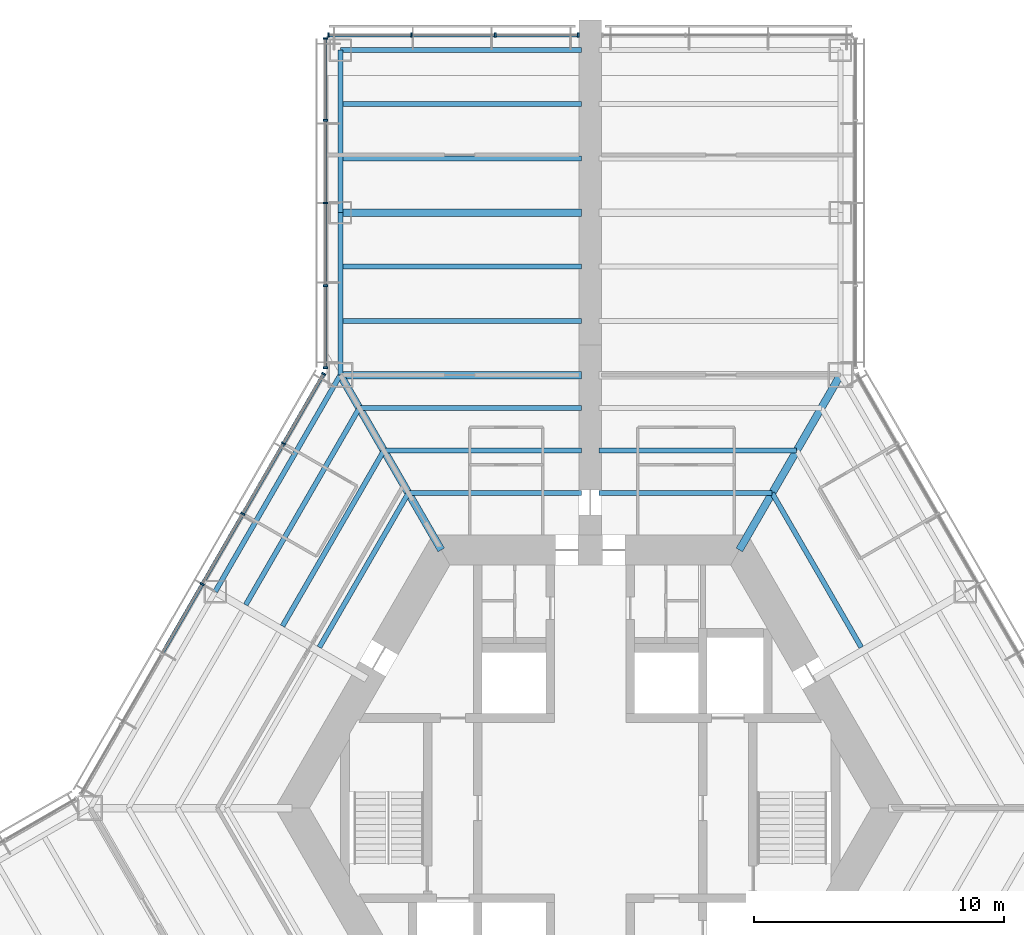
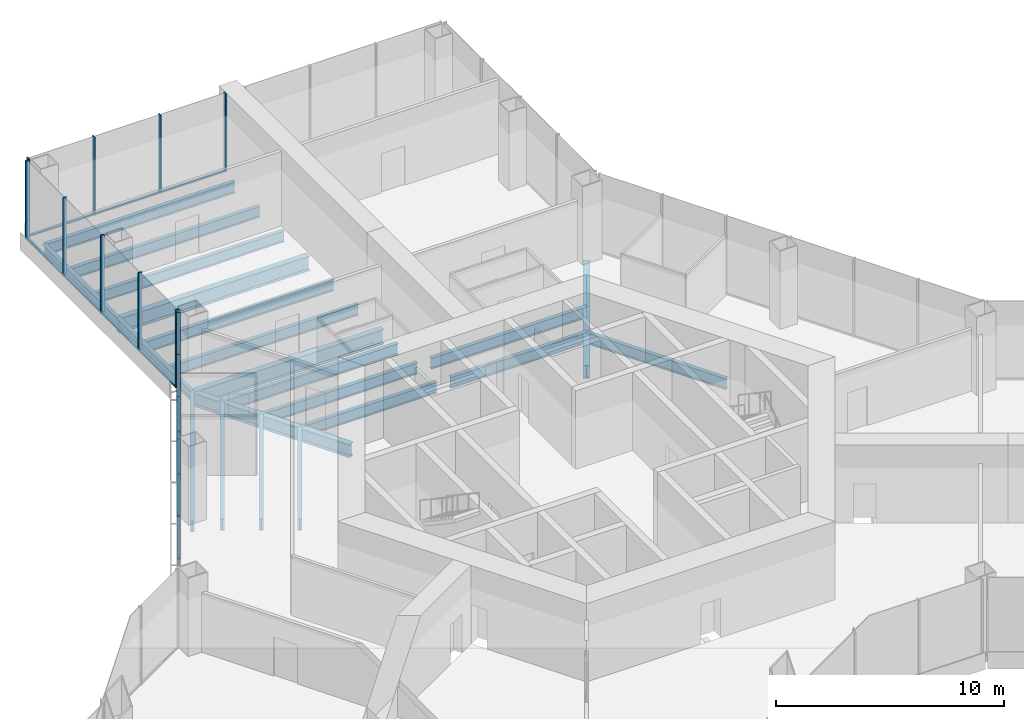
# One storey, part 6 of 16: 24 members, 21 beams, 3 elements without a shape of their own.
"""IFC4 building model written with IfcOpenShell, lengths in metres."""

import ifcopenshell
import ifcopenshell.guid

model = None  # the IFC model being written
_history = None  # IfcOwnerHistory: only IFC2X3 demands one
_inside = {}  # id of a spatial element -> (the spatial element, [elements in it])
_under = {}  # id of a project, library or spatial element -> (it, [spatial elements below it])
_declared = {}  # id of a project -> (the project, [libraries it declares])
_typed = {}  # id of a type object -> (the type object, [elements of that type])
_made_of = {}  # id of a material, layer set ... -> (it, [elements and type objects made of it])


def new_model(schema):
    """Start an empty IFC model of exactly this schema.

    Asked for "IFC4X3", IfcOpenShell would pick the latest addendum, in which some entities
    have other attributes; the version numbers below select the first issue.
    IFC2X3 requires an IfcOwnerHistory on every rooted entity: one is made here for all.
    """
    global model, _history
    if schema == "IFC4X3":
        model = ifcopenshell.file(schema_version=(4, 3, 0, 0))
    else:
        model = ifcopenshell.file(schema=schema)
    _inside.clear()
    _under.clear()
    _declared.clear()
    _typed.clear()
    _made_of.clear()
    _history = None
    if model.schema == "IFC2X3":
        org = make("IfcOrganization", Name="unknown")
        user = make(
            "IfcPersonAndOrganization",
            ThePerson=make("IfcPerson", FamilyName="unknown"),
            TheOrganization=org,
        )
        app = make(
            "IfcApplication",
            ApplicationDeveloper=org,
            Version="unknown",
            ApplicationFullName="unknown",
            ApplicationIdentifier="unknown",
        )
        _history = make(
            "IfcOwnerHistory",
            OwningUser=user,
            OwningApplication=app,
            ChangeAction="ADDED",
            CreationDate=0,
        )
    return model


def make(cls, **values):
    """One entity of the class cls with the attributes given. An attribute that is None is left unset."""
    return model.create_entity(
        cls, **{name: value for name, value in values.items() if value is not None}
    )


def rooted(cls, **values):
    """An entity with a GlobalId (a new one), such as an element, a storey or a relation."""
    return make(cls, GlobalId=ifcopenshell.guid.new(), OwnerHistory=_history, **values)


def si_unit(unit_type, name, prefix=None):
    """IfcSIUnit, for example si_unit("LENGTHUNIT", "METRE", prefix="MILLI")."""
    return make("IfcSIUnit", UnitType=unit_type, Prefix=prefix, Name=name)


def assignment(units):
    """IfcUnitAssignment: the units of a project."""
    return None if units is None else make("IfcUnitAssignment", Units=units)


def point(xyz):
    """IfcCartesianPoint."""
    return None if xyz is None else make("IfcCartesianPoint", Coordinates=xyz)


def direction(xyz):
    """IfcDirection."""
    return None if xyz is None else make("IfcDirection", DirectionRatios=xyz)


def frame(location, z_axis=None, x_axis=None):
    """IfcAxis2Placement3D, a coordinate frame: its origin and axes. An axis left out is left unset."""
    return make(
        "IfcAxis2Placement3D",
        Location=point(location),
        Axis=direction(z_axis),
        RefDirection=direction(x_axis),
    )


def frame_2d(location, x_axis=None):
    """IfcAxis2Placement2D, a coordinate frame in the plane: its origin and x axis."""
    return make(
        "IfcAxis2Placement2D", Location=point(location), RefDirection=direction(x_axis)
    )


def origin():
    """The frame at (0, 0, 0) with its axes left unset."""
    return frame((0.0, 0.0, 0.0))


def origin_2d():
    """The frame at (0, 0) in the plane with its x axis left unset."""
    return frame_2d((0.0, 0.0))


def place(relative_to, where):
    """IfcLocalPlacement: puts the frame where relative to a parent placement (None: the world)."""
    return make(
        "IfcLocalPlacement", PlacementRelTo=relative_to, RelativePlacement=where
    )


def context(
    kind, dimensions, precision=None, world=None, true_north=None, identifier=None
):
    """IfcGeometricRepresentationContext, for example the 3D "Model" context."""
    return make(
        "IfcGeometricRepresentationContext",
        ContextIdentifier=identifier,
        ContextType=kind,
        CoordinateSpaceDimension=dimensions,
        Precision=precision,
        WorldCoordinateSystem=world,
        TrueNorth=true_north,
    )


def subcontext(parent, identifier, kind, view, scale=None):
    """IfcGeometricRepresentationSubContext, for example "Body" below "Model"."""
    return make(
        "IfcGeometricRepresentationSubContext",
        ContextIdentifier=identifier,
        ContextType=kind,
        ParentContext=parent,
        TargetScale=scale,
        TargetView=view,
    )


def project(units=None, contexts=None):
    """IfcProject with its units and contexts."""
    return rooted(
        "IfcProject",
        Name="project",
        RepresentationContexts=contexts,
        UnitsInContext=assignment(units),
    )


def spatial(cls, under=None, at=None, **own):
    """A site, building, storey or space (cls), placed at a placement, below another one or the project."""
    s = rooted(cls, ObjectPlacement=at, **own)
    if under is not None:
        _under.setdefault(under.id(), (under, []))[1].append(s)
    return s


def profile(cls, at=None, kind="AREA", **sizes):
    """A parametric profile (cls). Its sizes go by their IFC names, for example OverallWidth=200.0."""
    return make(cls, ProfileType=kind, Position=at, **sizes)


def rectangle(**sizes):
    """IfcRectangleProfileDef."""
    return profile("IfcRectangleProfileDef", **sizes)


def i_section(**sizes):
    """IfcIShapeProfileDef."""
    return profile("IfcIShapeProfileDef", **sizes)


def extrude(swept, where, along, depth):
    """IfcExtrudedAreaSolid: the profile swept, set in the frame where, extruded along a direction by depth."""
    return make(
        "IfcExtrudedAreaSolid",
        SweptArea=swept,
        Position=where,
        ExtrudedDirection=direction(along),
        Depth=depth,
    )


def shape(context_of_items, identifier, shape_type, items):
    """IfcShapeRepresentation: the items that make up one representation, for example the "Body"."""
    return make(
        "IfcShapeRepresentation",
        ContextOfItems=context_of_items,
        RepresentationIdentifier=identifier,
        RepresentationType=shape_type,
        Items=items,
    )


def material(Name=None, Category=None):
    """IfcMaterial."""
    return make("IfcMaterial", Name=Name, Category=Category)


def material_profile(
    of_material, cross_section, Name=None, Category=None, Priority=None
):
    """IfcMaterialProfile: a cross section and its material."""
    return make(
        "IfcMaterialProfile",
        Name=Name,
        Material=of_material,
        Profile=cross_section,
        Priority=Priority,
        Category=Category,
    )


def profile_set(profiles, Name=None, composite=None):
    """IfcMaterialProfileSet."""
    return make(
        "IfcMaterialProfileSet",
        Name=Name,
        MaterialProfiles=profiles,
        CompositeProfile=composite,
    )


def made_of(thing, what):
    """Note that an element or type object is made of a material, layer set ...; save() writes the relation."""
    if what is not None:
        _made_of.setdefault(what.id(), (what, []))[1].append(thing)
    return thing


def type_object(cls, material=None, **own):
    """A type object (cls), such as IfcWallType, which elements share."""
    return made_of(rooted(cls, **own), material)


def element(
    cls,
    number,
    at=None,
    inside=None,
    cuts=None,
    type_object=None,
    material=None,
    context=None,
    identifier="Body",
    shape_type=None,
    held_by="IfcProductDefinitionShape",
    body=None,
    shapes=None,
    **own,
):
    """One element of the class cls, such as IfcWall. Its Tag is "e" and its number.

    at: its placement. inside: the storey or other place that contains it. cuts: it is an
    opening in that element (IfcRelVoidsElement). A single representation is given by context,
    identifier, shape_type and body (its items); several are given by shapes. held_by: the class
    of the entity that holds the representations. save() writes the other relations.
    """
    e = rooted(cls, Tag="e%d" % number, ObjectPlacement=at, **own)
    if body is not None:
        shapes = [shape(context, identifier, shape_type, body)]
    if shapes is not None:
        e.Representation = make(held_by, Representations=shapes)
    if inside is not None:
        _inside.setdefault(inside.id(), (inside, []))[1].append(e)
    if cuts is not None:
        rooted(
            "IfcRelVoidsElement", RelatingBuildingElement=cuts, RelatedOpeningElement=e
        )
    if type_object is not None:
        _typed.setdefault(type_object.id(), (type_object, []))[1].append(e)
    return made_of(e, material)


def aggregate(whole, parts):
    """IfcRelAggregates: a whole, such as a stair, and the parts it consists of."""
    return rooted("IfcRelAggregates", RelatingObject=whole, RelatedObjects=parts)


def save(model, path):
    """Write the relations noted so far, then the file.

    IfcRelAggregates (storeys below a building ...), IfcRelContainedInSpatialStructure (elements
    in a storey), IfcRelDefinesByType, IfcRelAssociatesMaterial and IfcRelDeclares: one each for
    every whole, place, type object, material and project.
    """
    for whole, parts in _under.values():
        aggregate(whole, parts)
    for where, things in _inside.values():
        rooted(
            "IfcRelContainedInSpatialStructure",
            RelatedElements=things,
            RelatingStructure=where,
        )
    for kind, things in _typed.values():
        rooted("IfcRelDefinesByType", RelatedObjects=things, RelatingType=kind)
    for what, things in _made_of.values():
        rooted("IfcRelAssociatesMaterial", RelatedObjects=things, RelatingMaterial=what)
    for by, libraries in _declared.values():
        rooted("IfcRelDeclares", RelatingContext=by, RelatedDefinitions=libraries)
    model.write(path)


model = new_model("IFC4")

# Units and contexts
model_context = context("Model", 3, precision=1e-05, world=origin(), true_north=direction((0.0, 1.0)))
body_context = subcontext(model_context, "Body", "Model", "MODEL_VIEW")
ifc_project = project(units=[si_unit("LENGTHUNIT", "METRE"), si_unit("AREAUNIT", "SQUARE_METRE"), si_unit("VOLUMEUNIT", "CUBIC_METRE"), si_unit("PLANEANGLEUNIT", "RADIAN"), si_unit("MASSUNIT", "GRAM", prefix="KILO")], contexts=[model_context])

# Site, building, storey
site_placement = place(None, origin())
site = spatial("IfcSite", under=ifc_project, at=site_placement, CompositionType="ELEMENT")
building_placement = place(site_placement, origin())
building = spatial("IfcBuilding", under=site, at=building_placement, Name="Kasaneha Research Tower", CompositionType="ELEMENT")
storey_placement = place(building_placement, frame((0.0, 0.0, 10.0)))
storey = spatial("IfcBuildingStorey", under=building, at=storey_placement, Name="L03", CompositionType="ELEMENT", Elevation=10.0)

# Beams
ifc_material_1 = material(Name="Steel SN490B", Category="steel")
ifc_material_profile_1 = material_profile(ifc_material_1, i_section(OverallWidth=0.199951171875, OverallDepth=0.60009765625, WebThickness=0.010986328125, FlangeThickness=0.01708984375, FilletRadius=0.012939453125, at=origin_2d()), Name="H-600x200x11x17")
ifc_profile_set_1 = profile_set([ifc_material_profile_1], Name="Steel SN490B")
beam_type_1 = type_object("IfcBeamType", Name="B1-1 secondary beam H-600x200x11x17", PredefinedType="JOIST", material=ifc_profile_set_1)
beam_1_placement = place(storey_placement, frame((7.274658203125, 12.60009765625, -0.5), z_axis=(0.499990404686, -0.866030943571, 0.0), x_axis=(0.866030943571, 0.499990404686, 0.0)))
element("IfcBeam", 1, at=beam_1_placement, inside=storey, type_object=beam_type_1, Name="Secondary beam RS030R1 L03", PredefinedType="JOIST", context=body_context, shape_type="SweptSolid", body=[
    extrude(i_section(OverallWidth=0.199951171875, OverallDepth=0.60009765625, WebThickness=0.010986328125, FlangeThickness=0.01708984375, FilletRadius=0.012939453125, at=origin_2d()), origin(), (0.0, 0.0, 1.0), 7.124755859375),
])
beam_2_placement = place(storey_placement, frame((7.274658203125, 12.60009765625, -0.5), z_axis=(-1.0, 0.0, 0.0), x_axis=(0.0, -1.0, 0.0)))
element("IfcBeam", 2, at=beam_2_placement, inside=storey, type_object=beam_type_1, Name="Secondary beam RS090L1 L03", PredefinedType="JOIST", context=body_context, shape_type="SweptSolid", body=[
    extrude(i_section(OverallWidth=0.199951171875, OverallDepth=0.60009765625, WebThickness=0.010986328125, FlangeThickness=0.01708984375, FilletRadius=0.012939453125, at=origin_2d()), origin(), (0.0, 0.0, 1.0), 6.924560546875),
])
beam_3_placement = place(storey_placement, frame((8.256103515625, 14.300048828125, -0.5), z_axis=(-1.0, 0.0, 0.0), x_axis=(0.0, -1.0, 0.0)))
element("IfcBeam", 3, at=beam_3_placement, inside=storey, type_object=beam_type_1, Name="Secondary beam RS090L2 L03", PredefinedType="JOIST", context=body_context, shape_type="SweptSolid", body=[
    extrude(i_section(OverallWidth=0.199951171875, OverallDepth=0.60009765625, WebThickness=0.010986328125, FlangeThickness=0.01708984375, FilletRadius=0.012939453125, at=origin_2d()), origin(), (0.0, 0.0, 1.0), 7.906005859375),
])
beam_4_placement = place(storey_placement, frame((-7.274658203125, 12.60009765625, -0.5), z_axis=(1.0, 0.0, 0.0), x_axis=(0.0, 1.0, 0.0)))
element("IfcBeam", 4, at=beam_4_placement, inside=storey, type_object=beam_type_1, Name="Secondary beam RS090R1 L03", PredefinedType="JOIST", context=body_context, shape_type="SweptSolid", body=[
    extrude(i_section(OverallWidth=0.199951171875, OverallDepth=0.60009765625, WebThickness=0.010986328125, FlangeThickness=0.01708984375, FilletRadius=0.012939453125, at=origin_2d()), origin(), (0.0, 0.0, 1.0), 6.924560546875),
])
beam_5_placement = place(storey_placement, frame((-8.256103515625, 14.300048828125, -0.5), z_axis=(1.0, 0.0, 0.0), x_axis=(0.0, 1.0, 0.0)))
element("IfcBeam", 5, at=beam_5_placement, inside=storey, type_object=beam_type_1, Name="Secondary beam RS090R2 L03", PredefinedType="JOIST", context=body_context, shape_type="SweptSolid", body=[
    extrude(i_section(OverallWidth=0.199951171875, OverallDepth=0.60009765625, WebThickness=0.010986328125, FlangeThickness=0.01708984375, FilletRadius=0.012939453125, at=origin_2d()), origin(), (0.0, 0.0, 1.0), 7.906005859375),
])
beam_6_placement = place(storey_placement, frame((-9.237548828125, 16.0, -0.5), z_axis=(1.0, 0.0, 0.0), x_axis=(0.0, 1.0, 0.0)))
element("IfcBeam", 6, at=beam_6_placement, inside=storey, type_object=beam_type_1, Name="Secondary beam RS090R3 L03", PredefinedType="JOIST", context=body_context, shape_type="SweptSolid", body=[
    extrude(i_section(OverallWidth=0.199951171875, OverallDepth=0.60009765625, WebThickness=0.010986328125, FlangeThickness=0.01708984375, FilletRadius=0.012939453125, at=origin_2d()), origin(), (0.0, 0.0, 1.0), 8.887451171875),
])
beam_7_placement = place(storey_placement, frame((-7.274658203125, 12.60009765625, -0.5), z_axis=(-0.499990404686, -0.866030943571, 0.0), x_axis=(0.866030943571, -0.499990404686, 0.0)))
element("IfcBeam", 7, at=beam_7_placement, inside=storey, type_object=beam_type_1, Name="Secondary beam RS150L1 L03", PredefinedType="JOIST", context=body_context, shape_type="SweptSolid", body=[
    extrude(i_section(OverallWidth=0.199951171875, OverallDepth=0.60009765625, WebThickness=0.010986328125, FlangeThickness=0.01708984375, FilletRadius=0.012939453125, at=origin_2d()), origin(), (0.0, 0.0, 1.0), 7.124755859375),
])
beam_8_placement = place(storey_placement, frame((-8.256103515625, 14.300048828125, -0.5), z_axis=(-0.499984030215, -0.866034623748, 0.0), x_axis=(0.866034623748, -0.499984030215, 0.0)))
element("IfcBeam", 8, at=beam_8_placement, inside=storey, type_object=beam_type_1, Name="Secondary beam RS150L2 L03", PredefinedType="JOIST", context=body_context, shape_type="SweptSolid", body=[
    extrude(i_section(OverallWidth=0.199951171875, OverallDepth=0.60009765625, WebThickness=0.010986328125, FlangeThickness=0.01708984375, FilletRadius=0.012939453125, at=origin_2d()), origin(), (0.0, 0.0, 1.0), 8.106201171875),
])
beam_9_placement = place(storey_placement, frame((-9.237548828125, 16.0, -0.5), z_axis=(-0.500010814234, -0.866019160093, 0.0), x_axis=(0.866019160093, -0.500010814234, 0.0)))
element("IfcBeam", 9, at=beam_9_placement, inside=storey, type_object=beam_type_1, Name="Secondary beam RS150L3 L03", PredefinedType="JOIST", context=body_context, shape_type="SweptSolid", body=[
    extrude(i_section(OverallWidth=0.199951171875, OverallDepth=0.60009765625, WebThickness=0.010986328125, FlangeThickness=0.01708984375, FilletRadius=0.012939453125, at=origin_2d()), origin(), (0.0, 0.0, 1.0), 9.087646484375),
])
ifc_material_2 = material(Name="Steel SN490B", Category="steel")
ifc_material_profile_2 = material_profile(ifc_material_2, i_section(OverallWidth=0.198974609375, OverallDepth=0.595947265625, WebThickness=0.010009765625, FlangeThickness=0.014892578125, FilletRadius=0.012939453125, at=origin_2d()), Name="H-596x199x10x15")
ifc_profile_set_2 = profile_set([ifc_material_profile_2], Name="Steel SN490B")
beam_type_2 = type_object("IfcBeamType", Name="B2-1 secondary beam H-596x199x10x15", PredefinedType="JOIST", material=ifc_profile_set_2)
for number, where, z_axis, x_axis, name in (
    (10, (-10.0, 19.487060546875, -0.498046875), (1.0, 0.0, 0.0), (0.0, 1.0, 0.0), "Secondary beam WBAN1 L03"),
    (11, (-10.0, 21.65380859375, -0.498046875), (1.0, 0.0, 0.0), (0.0, 1.0, 0.0), "Secondary beam WBAN2 L03"),
    (12, (-10.0, 25.987060546875, -0.498046875), (1.0, 0.0, 0.0), (0.0, 1.0, 0.0), "Secondary beam WBAN3 L03"),
    (13, (-10.0, 28.15380859375, -0.498046875), (1.0, 0.0, 0.0), (0.0, 1.0, 0.0), "Secondary beam WBAN4 L03"),
):
    element("IfcBeam", number, at=place(storey_placement, frame(where, z_axis=z_axis, x_axis=x_axis)), inside=storey, type_object=beam_type_2, Name=name, PredefinedType="JOIST", context=body_context, shape_type="SweptSolid", body=[
        extrude(i_section(OverallWidth=0.198974609375, OverallDepth=0.595947265625, WebThickness=0.010009765625, FlangeThickness=0.014892578125, FilletRadius=0.012939453125, at=origin_2d()), origin(), (0.0, 0.0, 1.0), 9.64990234375),
    ])

# Curtain wall, members
ifc_material_3 = material(Name="Glass and aluminium", Category="aluminium")
curtain_wall_type = type_object("IfcCurtainWallType", Name="Wet laboratory curtain wall", PredefinedType="USERDEFINED", material=ifc_material_3)
curtain_wall_1_placement = place(storey_placement, origin())
curtain_wall_1 = element("IfcCurtainWall", 14, at=curtain_wall_1_placement, inside=storey, type_object=curtain_wall_type, Name="CW-L1 L03 run 10a", ObjectType="UNITISED CURTAIN WALL", PredefinedType="USERDEFINED")
ifc_material_4 = material(Name="Aluminium 6063-T6", Category="aluminium")
ifc_material_profile_3 = material_profile(ifc_material_4, rectangle(XDim=0.06494140625, YDim=0.179931640625, at=origin_2d()), Name="CW-L1 mullion 65x180")
ifc_profile_set_3 = profile_set([ifc_material_profile_3], Name="Aluminium 6063-T6")
member_type_1 = type_object("IfcMemberType", Name="CW-L1 mullion", PredefinedType="MULLION", material=ifc_profile_set_3)
member_1_placement = place(storey_placement, frame((-0.482421875, 30.92041015625, 0.0), z_axis=(0.0, 0.0, 1.0), x_axis=(-1.0, 0.0, 0.0)))
member_1 = element("IfcMember", 15, at=member_1_placement, type_object=member_type_1, Name="CW-L1 mullion 1", PredefinedType="MULLION", context=body_context, shape_type="SweptSolid", body=[
    extrude(rectangle(XDim=0.06494140625, YDim=0.179931640625, at=origin_2d()), origin(), (0.0, 0.0, 1.0), 4.199951171875),
])
member_2_placement = place(storey_placement, frame((-3.800048828125, 30.92041015625, 0.0), z_axis=(0.0, 0.0, 1.0), x_axis=(-1.0, 0.0, 0.0)))
member_2 = element("IfcMember", 16, at=member_2_placement, type_object=member_type_1, Name="CW-L1 mullion 2", PredefinedType="MULLION", context=body_context, shape_type="SweptSolid", body=[
    extrude(rectangle(XDim=0.06494140625, YDim=0.179931640625, at=origin_2d()), origin(), (0.0, 0.0, 1.0), 4.199951171875),
])
member_3_placement = place(storey_placement, frame((-7.14990234375, 30.92041015625, 0.0), z_axis=(0.0, 0.0, 1.0), x_axis=(-1.0, 0.0, 0.0)))
member_3 = element("IfcMember", 17, at=member_3_placement, type_object=member_type_1, Name="CW-L1 mullion 3", PredefinedType="MULLION", context=body_context, shape_type="SweptSolid", body=[
    extrude(rectangle(XDim=0.06494140625, YDim=0.179931640625, at=origin_2d()), origin(), (0.0, 0.0, 1.0), 4.199951171875),
])
member_4_placement = place(storey_placement, frame((-10.467529296875, 30.92041015625, 0.0), z_axis=(0.0, 0.0, 1.0), x_axis=(-1.0, 0.0, 0.0)))
member_4 = element("IfcMember", 18, at=member_4_placement, type_object=member_type_1, Name="CW-L1 mullion 4", PredefinedType="MULLION", context=body_context, shape_type="SweptSolid", body=[
    extrude(rectangle(XDim=0.06494140625, YDim=0.179931640625, at=origin_2d()), origin(), (0.0, 0.0, 1.0), 4.199951171875),
])

curtain_wall_2_placement = place(storey_placement, origin())
curtain_wall_2 = element("IfcCurtainWall", 19, at=curtain_wall_2_placement, inside=storey, type_object=curtain_wall_type, Name="CW-L1 L03 run 11a", ObjectType="UNITISED CURTAIN WALL", PredefinedType="USERDEFINED")
member_5_placement = place(storey_placement, frame((-10.60009765625, 30.7880859375, 0.0), z_axis=(0.0, 0.0, 1.0), x_axis=(0.0, -1.0, 0.0)))
member_5 = element("IfcMember", 20, at=member_5_placement, type_object=member_type_1, Name="CW-L1 mullion 1", PredefinedType="MULLION", context=body_context, shape_type="SweptSolid", body=[
    extrude(rectangle(XDim=0.06494140625, YDim=0.179931640625, at=origin_2d()), origin(), (0.0, 0.0, 1.0), 4.199951171875),
])
member_6_placement = place(storey_placement, frame((-10.60009765625, 27.5107421875, 0.0), z_axis=(0.0, 0.0, 1.0), x_axis=(0.0, -1.0, 0.0)))
member_6 = element("IfcMember", 21, at=member_6_placement, type_object=member_type_1, Name="CW-L1 mullion 2", PredefinedType="MULLION", context=body_context, shape_type="SweptSolid", body=[
    extrude(rectangle(XDim=0.06494140625, YDim=0.179931640625, at=origin_2d()), origin(), (0.0, 0.0, 1.0), 4.199951171875),
])
member_7_placement = place(storey_placement, frame((-10.60009765625, 24.200927734375, 0.0), z_axis=(0.0, 0.0, 1.0), x_axis=(0.0, -1.0, 0.0)))
member_7 = element("IfcMember", 22, at=member_7_placement, type_object=member_type_1, Name="CW-L1 mullion 3", PredefinedType="MULLION", context=body_context, shape_type="SweptSolid", body=[
    extrude(rectangle(XDim=0.06494140625, YDim=0.179931640625, at=origin_2d()), origin(), (0.0, 0.0, 1.0), 4.199951171875),
])
member_8_placement = place(storey_placement, frame((-10.60009765625, 20.89111328125, 0.0), z_axis=(0.0, 0.0, 1.0), x_axis=(0.0, -1.0, 0.0)))
member_8 = element("IfcMember", 23, at=member_8_placement, type_object=member_type_1, Name="CW-L1 mullion 4", PredefinedType="MULLION", context=body_context, shape_type="SweptSolid", body=[
    extrude(rectangle(XDim=0.06494140625, YDim=0.179931640625, at=origin_2d()), origin(), (0.0, 0.0, 1.0), 4.199951171875),
])
member_9_placement = place(storey_placement, frame((-10.60009765625, 17.61376953125, 0.0), z_axis=(0.0, 0.0, 1.0), x_axis=(0.0, -1.0, 0.0)))
member_9 = element("IfcMember", 24, at=member_9_placement, type_object=member_type_1, Name="CW-L1 mullion 5", PredefinedType="MULLION", context=body_context, shape_type="SweptSolid", body=[
    extrude(rectangle(XDim=0.06494140625, YDim=0.179931640625, at=origin_2d()), origin(), (0.0, 0.0, 1.0), 4.199951171875),
])

curtain_wall_3_placement = place(storey_placement, origin())
curtain_wall_3 = element("IfcCurtainWall", 25, at=curtain_wall_3_placement, inside=storey, type_object=curtain_wall_type, Name="CW-L1 L03 run 12a", ObjectType="UNITISED CURTAIN WALL", PredefinedType="USERDEFINED")
member_10_placement = place(storey_placement, frame((-10.666259765625, 17.366455078125, 0.0), z_axis=(0.0, 0.0, 1.0), x_axis=(-0.49999996188, -0.866025425793, 0.0)))
member_10 = element("IfcMember", 26, at=member_10_placement, type_object=member_type_1, Name="CW-L1 mullion 1", PredefinedType="MULLION", context=body_context, shape_type="SweptSolid", body=[
    extrude(rectangle(XDim=0.06494140625, YDim=0.179931640625, at=origin_2d()), origin(), (0.0, 0.0, 1.0), 4.199951171875),
])
member_11_placement = place(storey_placement, frame((-12.273193359375, 14.583251953125, 0.0), z_axis=(0.0, 0.0, 1.0), x_axis=(-0.49999996188, -0.866025425793, 0.0)))
member_11 = element("IfcMember", 27, at=member_11_placement, type_object=member_type_1, Name="CW-L1 mullion 2", PredefinedType="MULLION", context=body_context, shape_type="SweptSolid", body=[
    extrude(rectangle(XDim=0.06494140625, YDim=0.179931640625, at=origin_2d()), origin(), (0.0, 0.0, 1.0), 4.199951171875),
])
member_12_placement = place(storey_placement, frame((-13.896484375, 11.771728515625, 0.0), z_axis=(0.0, 0.0, 1.0), x_axis=(-0.49999996188, -0.866025425793, 0.0)))
member_12 = element("IfcMember", 28, at=member_12_placement, type_object=member_type_1, Name="CW-L1 mullion 3", PredefinedType="MULLION", context=body_context, shape_type="SweptSolid", body=[
    extrude(rectangle(XDim=0.06494140625, YDim=0.179931640625, at=origin_2d()), origin(), (0.0, 0.0, 1.0), 4.199951171875),
])
member_13_placement = place(storey_placement, frame((-15.51953125, 8.960205078125, 0.0), z_axis=(0.0, 0.0, 1.0), x_axis=(-0.49999996188, -0.866025425793, 0.0)))
member_13 = element("IfcMember", 29, at=member_13_placement, type_object=member_type_1, Name="CW-L1 mullion 4", PredefinedType="MULLION", context=body_context, shape_type="SweptSolid", body=[
    extrude(rectangle(XDim=0.06494140625, YDim=0.179931640625, at=origin_2d()), origin(), (0.0, 0.0, 1.0), 4.199951171875),
])

# Member
ifc_material_5 = material(Name="Aluminium 6063-T6", Category="aluminium")
ifc_material_profile_4 = material_profile(ifc_material_5, rectangle(XDim=0.139892578125, YDim=0.06494140625, at=origin_2d()), Name="CW-L1 transom 140x65")
ifc_profile_set_4 = profile_set([ifc_material_profile_4], Name="Aluminium 6063-T6")
member_type_2 = type_object("IfcMemberType", Name="CW-L1 transom", PredefinedType="USERDEFINED", material=ifc_profile_set_4)
member_14_placement = place(storey_placement, frame((-0.514892578125, 30.92041015625, 0.032470703125), z_axis=(-1.0, 0.0, 0.0), x_axis=(0.0, -1.0, 0.0)))
member_14 = element("IfcMember", 30, at=member_14_placement, type_object=member_type_2, Name="CW-L1 transom 1", ObjectType="TRANSOM", PredefinedType="USERDEFINED", context=body_context, shape_type="SweptSolid", body=[
    extrude(rectangle(XDim=0.139892578125, YDim=0.06494140625, at=origin_2d()), origin(), (0.0, 0.0, 1.0), 3.252685546875),
])

member_15_placement = place(storey_placement, frame((-3.83251953125, 30.92041015625, 0.032470703125), z_axis=(-1.0, 0.0, 0.0), x_axis=(0.0, -1.0, 0.0)))
member_15 = element("IfcMember", 31, at=member_15_placement, type_object=member_type_2, Name="CW-L1 transom 2", ObjectType="TRANSOM", PredefinedType="USERDEFINED", context=body_context, shape_type="SweptSolid", body=[
    extrude(rectangle(XDim=0.139892578125, YDim=0.06494140625, at=origin_2d()), origin(), (0.0, 0.0, 1.0), 3.284912109375),
])

member_16_placement = place(storey_placement, frame((-7.1826171875, 30.92041015625, 0.032470703125), z_axis=(-1.0, 0.0, 0.0), x_axis=(0.0, -1.0, 0.0)))
member_16 = element("IfcMember", 32, at=member_16_placement, type_object=member_type_2, Name="CW-L1 transom 3", ObjectType="TRANSOM", PredefinedType="USERDEFINED", context=body_context, shape_type="SweptSolid", body=[
    extrude(rectangle(XDim=0.139892578125, YDim=0.06494140625, at=origin_2d()), origin(), (0.0, 0.0, 1.0), 3.25244140625),
])

aggregate(curtain_wall_1, [member_1, member_2, member_3, member_4, member_14, member_15, member_16])

member_17_placement = place(storey_placement, frame((-10.60009765625, 30.755615234375, 0.032470703125), z_axis=(0.0, -1.0, 0.0), x_axis=(1.0, 0.0, 0.0)))
member_17 = element("IfcMember", 33, at=member_17_placement, type_object=member_type_2, Name="CW-L1 transom 1", ObjectType="TRANSOM", PredefinedType="USERDEFINED", context=body_context, shape_type="SweptSolid", body=[
    extrude(rectangle(XDim=0.139892578125, YDim=0.06494140625, at=origin_2d()), origin(), (0.0, 0.0, 1.0), 3.21240234375),
])

member_18_placement = place(storey_placement, frame((-10.60009765625, 27.478271484375, 0.032470703125), z_axis=(0.0, -1.0, 0.0), x_axis=(1.0, 0.0, 0.0)))
member_18 = element("IfcMember", 34, at=member_18_placement, type_object=member_type_2, Name="CW-L1 transom 2", ObjectType="TRANSOM", PredefinedType="USERDEFINED", context=body_context, shape_type="SweptSolid", body=[
    extrude(rectangle(XDim=0.139892578125, YDim=0.06494140625, at=origin_2d()), origin(), (0.0, 0.0, 1.0), 3.244873046875),
])

member_19_placement = place(storey_placement, frame((-10.60009765625, 24.16845703125, 0.032470703125), z_axis=(0.0, -1.0, 0.0), x_axis=(1.0, 0.0, 0.0)))
member_19 = element("IfcMember", 35, at=member_19_placement, type_object=member_type_2, Name="CW-L1 transom 3", ObjectType="TRANSOM", PredefinedType="USERDEFINED", context=body_context, shape_type="SweptSolid", body=[
    extrude(rectangle(XDim=0.139892578125, YDim=0.06494140625, at=origin_2d()), origin(), (0.0, 0.0, 1.0), 3.244873046875),
])

member_20_placement = place(storey_placement, frame((-10.60009765625, 20.858642578125, 0.032470703125), z_axis=(0.0, -1.0, 0.0), x_axis=(1.0, 0.0, 0.0)))
member_20 = element("IfcMember", 36, at=member_20_placement, type_object=member_type_2, Name="CW-L1 transom 4", ObjectType="TRANSOM", PredefinedType="USERDEFINED", context=body_context, shape_type="SweptSolid", body=[
    extrude(rectangle(XDim=0.139892578125, YDim=0.06494140625, at=origin_2d()), origin(), (0.0, 0.0, 1.0), 3.21240234375),
])

aggregate(curtain_wall_2, [member_5, member_6, member_7, member_8, member_9, member_17, member_18, member_19, member_20])

member_21_placement = place(storey_placement, frame((-10.6826171875, 17.33837890625, 0.032470703125), z_axis=(-0.499941702305, -0.866059059358, 0.0), x_axis=(0.866059059358, -0.499941702305, 0.0)))
member_21 = element("IfcMember", 37, at=member_21_placement, type_object=member_type_2, Name="CW-L1 transom 1", ObjectType="TRANSOM", PredefinedType="USERDEFINED", context=body_context, shape_type="SweptSolid", body=[
    extrude(rectangle(XDim=0.139892578125, YDim=0.06494140625, at=origin_2d()), origin(), (0.0, 0.0, 1.0), 3.14892578125),
])

member_22_placement = place(storey_placement, frame((-12.28955078125, 14.55517578125, 0.032470703125), z_axis=(-0.499943876812, -0.866057804098, 0.0), x_axis=(0.866057804098, -0.499943876812, 0.0)))
member_22 = element("IfcMember", 38, at=member_22_placement, type_object=member_type_2, Name="CW-L1 transom 2", ObjectType="TRANSOM", PredefinedType="USERDEFINED", context=body_context, shape_type="SweptSolid", body=[
    extrude(rectangle(XDim=0.139892578125, YDim=0.06494140625, at=origin_2d()), origin(), (0.0, 0.0, 1.0), 3.181396484375),
])

member_23_placement = place(storey_placement, frame((-13.91259765625, 11.74365234375, 0.032470703125), z_axis=(-0.500001430823, -0.866024577697, 0.0), x_axis=(0.866024577697, -0.500001430823, 0.0)))
member_23 = element("IfcMember", 39, at=member_23_placement, type_object=member_type_2, Name="CW-L1 transom 3", ObjectType="TRANSOM", PredefinedType="USERDEFINED", context=body_context, shape_type="SweptSolid", body=[
    extrude(rectangle(XDim=0.139892578125, YDim=0.06494140625, at=origin_2d()), origin(), (0.0, 0.0, 1.0), 3.181640625),
])

member_24_placement = place(storey_placement, frame((-15.535888671875, 8.93212890625, 0.032470703125), z_axis=(-0.499977104415, -0.866038622153, 0.0), x_axis=(0.866038622153, -0.499977104415, 0.0)))
member_24 = element("IfcMember", 40, at=member_24_placement, type_object=member_type_2, Name="CW-L1 transom 4", ObjectType="TRANSOM", PredefinedType="USERDEFINED", context=body_context, shape_type="SweptSolid", body=[
    extrude(rectangle(XDim=0.139892578125, YDim=0.06494140625, at=origin_2d()), origin(), (0.0, 0.0, 1.0), 3.181396484375),
])

aggregate(curtain_wall_3, [member_10, member_11, member_12, member_13, member_21, member_22, member_23, member_24])

# Beams
ifc_material_6 = material(Name="Steel SN490B", Category="steel")
ifc_material_profile_5 = material_profile(ifc_material_6, i_section(OverallWidth=0.300048828125, OverallDepth=0.699951171875, WebThickness=0.012939453125, FlangeThickness=0.02392578125, FilletRadius=0.01806640625, at=origin_2d()), Name="H-700x300x13x24")
ifc_profile_set_5 = profile_set([ifc_material_profile_5], Name="Steel SN490B")
beam_type_3 = type_object("IfcBeamType", Name="G1-1 radial girder H-700x300x13x24", PredefinedType="BEAM", material=ifc_profile_set_5)
for number, where, z_axis, x_axis, name in (
    (41, (5.961181640625, 10.324951171875, -0.550048828125), (0.49999105496, 0.866030568144, 0.0), (-0.866030568144, 0.49999105496, 0.0), "Radial girder RV060 L03"),
    (42, (-5.961181640625, 10.324951171875, -0.550048828125), (-0.49999105496, 0.866030568144, 0.0), (-0.866030568144, -0.49999105496, 0.0), "Radial girder RV120 L03"),
):
    element("IfcBeam", number, at=place(storey_placement, frame(where, z_axis=z_axis, x_axis=x_axis)), inside=storey, type_object=beam_type_3, Name=name, PredefinedType="BEAM", context=body_context, shape_type="SweptSolid", body=[
        extrude(i_section(OverallWidth=0.300048828125, OverallDepth=0.699951171875, WebThickness=0.012939453125, FlangeThickness=0.02392578125, FilletRadius=0.01806640625, at=origin_2d()), origin(), (0.0, 0.0, 1.0), 8.077880859375),
    ])
ifc_material_7 = material(Name="Steel SN490B", Category="steel")
ifc_material_profile_6 = material_profile(ifc_material_7, i_section(OverallWidth=0.300048828125, OverallDepth=0.7919921875, WebThickness=0.013916015625, FlangeThickness=0.02197265625, FilletRadius=0.01806640625, at=origin_2d()), Name="H-792x300x14x22")
ifc_profile_set_6 = profile_set([ifc_material_profile_6], Name="Steel SN490B")
beam_type_4 = type_object("IfcBeamType", Name="G3-1 plate edge girder H-792x300x14x22", PredefinedType="BEAM", material=ifc_profile_set_6)
beam_10_placement = place(storey_placement, frame((-10.0, 17.320556640625, -0.595947265625), z_axis=(1.0, 0.0, 0.0), x_axis=(0.0, 1.0, 0.0)))
element("IfcBeam", 43, at=beam_10_placement, inside=storey, type_object=beam_type_4, Name="Plate edge girder PEAN L03", PredefinedType="BEAM", context=body_context, shape_type="SweptSolid", body=[
    extrude(i_section(OverallWidth=0.300048828125, OverallDepth=0.7919921875, WebThickness=0.013916015625, FlangeThickness=0.02197265625, FilletRadius=0.01806640625, at=origin_2d()), origin(), (0.0, 0.0, 1.0), 9.64990234375),
])
ifc_material_8 = material(Name="Steel SN490B", Category="steel")
ifc_material_profile_7 = material_profile(ifc_material_8, i_section(OverallWidth=0.300048828125, OverallDepth=0.800048828125, WebThickness=0.013916015625, FlangeThickness=0.02587890625, FilletRadius=0.01806640625, at=origin_2d()), Name="H-800x300x14x26")
ifc_profile_set_7 = profile_set([ifc_material_profile_7], Name="Steel SN490B")
beam_type_5 = type_object("IfcBeamType", Name="G4-1 wing girder H-800x300x14x26", PredefinedType="BEAM", material=ifc_profile_set_7)
beam_11_placement = place(storey_placement, frame((-10.0, 23.820556640625, -0.60009765625), z_axis=(1.0, 0.0, 0.0), x_axis=(0.0, 1.0, 0.0)))
element("IfcBeam", 44, at=beam_11_placement, inside=storey, type_object=beam_type_5, Name="Wing girder WGAN L03", PredefinedType="BEAM", context=body_context, shape_type="SweptSolid", body=[
    extrude(i_section(OverallWidth=0.300048828125, OverallDepth=0.800048828125, WebThickness=0.013916015625, FlangeThickness=0.02587890625, FilletRadius=0.01806640625, at=origin_2d()), origin(), (0.0, 0.0, 1.0), 9.64990234375),
])
ifc_material_9 = material(Name="Steel SN490B", Category="steel")
ifc_material_profile_8 = material_profile(ifc_material_9, i_section(OverallWidth=0.199951171875, OverallDepth=0.60009765625, WebThickness=0.010986328125, FlangeThickness=0.01708984375, FilletRadius=0.012939453125, at=origin_2d()), Name="H-600x200x11x17")
ifc_profile_set_8 = profile_set([ifc_material_profile_8], Name="Steel SN490B")
beam_type_6 = type_object("IfcBeamType", Name="SB1-1 spandrel beam H-600x200x11x17", PredefinedType="SPANDREL", material=ifc_profile_set_8)
beam_12_placement = place(storey_placement, frame((-10.0, 17.320556640625, -0.5), z_axis=(-0.499993662806, -0.866029062534, 0.0), x_axis=(0.866029062534, -0.499993662806, 0.0)))
element("IfcBeam", 45, at=beam_12_placement, inside=storey, type_object=beam_type_6, Name="Spandrel beam SR150L L03", PredefinedType="SPANDREL", context=body_context, shape_type="SweptSolid", body=[
    extrude(i_section(OverallWidth=0.199951171875, OverallDepth=0.60009765625, WebThickness=0.010986328125, FlangeThickness=0.01708984375, FilletRadius=0.012939453125, at=origin_2d()), origin(), (0.0, 0.0, 1.0), 10.000244140625),
])
ifc_material_10 = material(Name="Steel SN490B", Category="steel")
ifc_material_profile_9 = material_profile(ifc_material_10, i_section(OverallWidth=0.199951171875, OverallDepth=0.5, WebThickness=0.010009765625, FlangeThickness=0.01611328125, FilletRadius=0.012939453125, at=origin_2d()), Name="H-500x200x10x16")
ifc_profile_set_9 = profile_set([ifc_material_profile_9], Name="Steel SN490B")
beam_type_7 = type_object("IfcBeamType", Name="SB2-1 spandrel beam H-500x200x10x16", PredefinedType="SPANDREL", material=ifc_profile_set_9)
for number, where, z_axis, x_axis, name in (
    (46, (-10.0, 17.320556640625, -0.449951171875), (0.0, 1.0, 0.0), (-1.0, 0.0, 0.0), "Spandrel beam WSAN1 L03"),
    (47, (-10.0, 23.820556640625, -0.449951171875), (0.0, 1.0, 0.0), (-1.0, 0.0, 0.0), "Spandrel beam WSAN2 L03"),
):
    element("IfcBeam", number, at=place(storey_placement, frame(where, z_axis=z_axis, x_axis=x_axis)), inside=storey, type_object=beam_type_7, Name=name, PredefinedType="SPANDREL", context=body_context, shape_type="SweptSolid", body=[
        extrude(i_section(OverallWidth=0.199951171875, OverallDepth=0.5, WebThickness=0.010009765625, FlangeThickness=0.01611328125, FilletRadius=0.012939453125, at=origin_2d()), origin(), (0.0, 0.0, 1.0), 6.5),
    ])
ifc_material_11 = material(Name="Steel SN490B", Category="steel")
ifc_material_profile_10 = material_profile(ifc_material_11, i_section(OverallWidth=0.199951171875, OverallDepth=0.60009765625, WebThickness=0.010986328125, FlangeThickness=0.01708984375, FilletRadius=0.012939453125, at=origin_2d()), Name="H-600x200x11x17")
ifc_profile_set_10 = profile_set([ifc_material_profile_10], Name="Steel SN490B")
beam_type_8 = type_object("IfcBeamType", Name="SB3-1 spandrel beam H-600x200x11x17", PredefinedType="SPANDREL", material=ifc_profile_set_10)
beam_13_placement = place(storey_placement, frame((-10.0, 30.320556640625, -0.5), z_axis=(1.0, 0.0, 0.0), x_axis=(0.0, 1.0, 0.0)))
element("IfcBeam", 48, at=beam_13_placement, inside=storey, type_object=beam_type_8, Name="Spandrel beam WTAN L03", PredefinedType="SPANDREL", context=body_context, shape_type="SweptSolid", body=[
    extrude(i_section(OverallWidth=0.199951171875, OverallDepth=0.60009765625, WebThickness=0.010986328125, FlangeThickness=0.01708984375, FilletRadius=0.012939453125, at=origin_2d()), origin(), (0.0, 0.0, 1.0), 9.64990234375),
])

save(model, "model.ifc")
